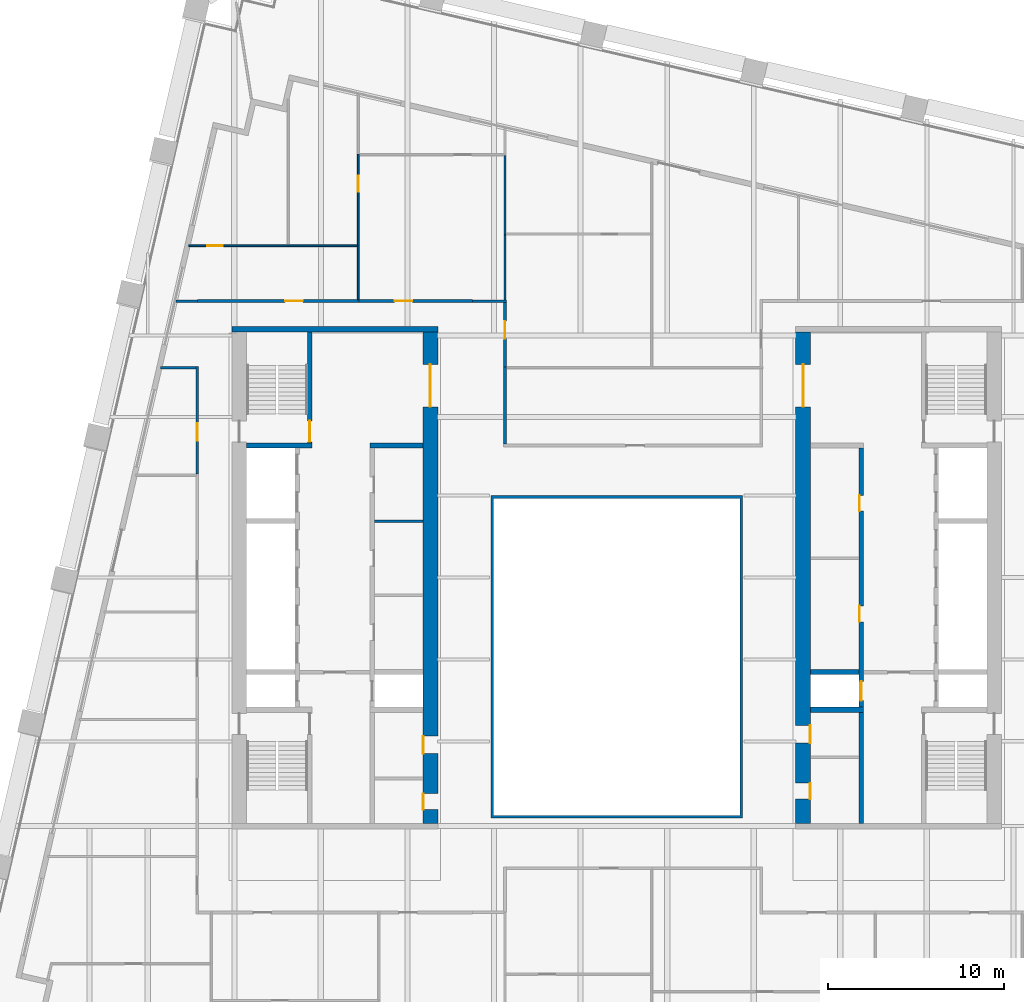
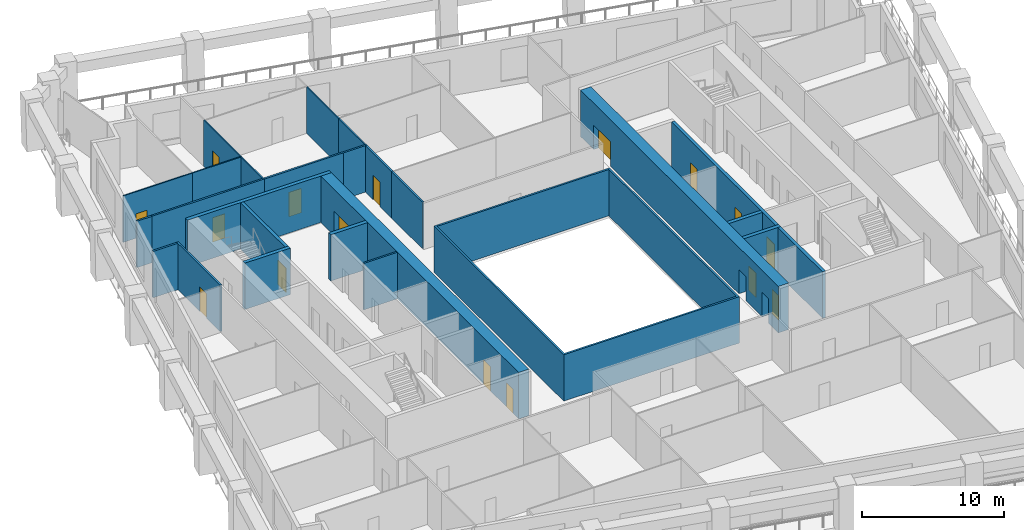
# One storey, part 7 of 12: 25 walls, 16 doors, 16 openings.
"""IFC4 building model written with IfcOpenShell, lengths in metres."""

from ifc_helpers import new_model, si_unit, direction, frame, frame_2d, origin, place, context, subcontext, project, spatial, polyline, rectangle, outline, extrude, material, layer, layer_set, type_object, element, fill, save


model = new_model("IFC4")

# Units and contexts
model_context = context("Model", 3, precision=1e-05, world=origin(), true_north=direction((0.0, 1.0)))
body_context = subcontext(model_context, "Body", "Model", "MODEL_VIEW")
ifc_project = project(units=[si_unit("LENGTHUNIT", "METRE"), si_unit("AREAUNIT", "SQUARE_METRE"), si_unit("VOLUMEUNIT", "CUBIC_METRE"), si_unit("PLANEANGLEUNIT", "RADIAN"), si_unit("MASSUNIT", "GRAM", prefix="KILO")], contexts=[model_context])

# Site, building, storey
site_placement = place(None, origin())
site = spatial("IfcSite", under=ifc_project, at=site_placement, CompositionType="ELEMENT")
building_placement = place(site_placement, origin())
building = spatial("IfcBuilding", under=site, at=building_placement, Name="Ogive Exchange Tower", CompositionType="ELEMENT")
storey_placement = place(building_placement, frame((0.0, 0.0, 139.199951171875)))
storey = spatial("IfcBuildingStorey", under=building, at=storey_placement, Name="L30", CompositionType="ELEMENT", Elevation=139.199951171875)

# Walls
ifc_material_1 = material(Name="Gypsum board partition")
ifc_layer_1 = layer(ifc_material_1, 0.14990234375)
ifc_layer_set_1 = layer_set([ifc_layer_1], Name="Core room partition 150 gypsum")
wall_type_1 = type_object("IfcWallType", Name="Core room partition 150 gypsum", PredefinedType="PARTITIONING", material=ifc_layer_set_1)
wall_1_placement = place(storey_placement, frame((-13.75, 14.699951171875, 0.0), z_axis=(0.0, 0.0, 1.0), x_axis=(1.0, 0.0, 0.0)))
element("IfcWall", 1, at=wall_1_placement, inside=storey, type_object=wall_type_1, Name="W row B bay partition 1-2", PredefinedType="PARTITIONING", context=body_context, shape_type="SweptSolid", body=[
    extrude(rectangle(XDim=2.75, YDim=0.14990234375, at=frame_2d((1.375, 0.0))), origin(), (0.0, 0.0, 1.0), 4.0),
])
ifc_layer_2 = layer(ifc_material_1, 0.300048828125)
ifc_layer_set_2 = layer_set([ifc_layer_2], Name="Core room partition 300 gypsum")
wall_type_2 = type_object("IfcWallType", Name="Core room partition 300 gypsum", PredefinedType="PARTITIONING", material=ifc_layer_set_2)
wall_2_placement = place(storey_placement, frame((-14.0, 19.0, 0.0), z_axis=(0.0, 0.0, 1.0), x_axis=(1.0, 0.0, 0.0)))
element("IfcWall", 2, at=wall_2_placement, inside=storey, type_object=wall_type_2, Name="W row B room end wall 7", PredefinedType="PARTITIONING", context=body_context, shape_type="SweptSolid", body=[
    extrude(rectangle(XDim=3.0, YDim=0.300048828125, at=frame_2d((1.5, 0.0))), origin(), (0.0, 0.0, 1.0), 4.0),
])
ifc_material_2 = material(Name="Fire partition EI 60 150")
ifc_layer_3 = layer(ifc_material_2, 0.14990234375)
ifc_layer_set_3 = layer_set([ifc_layer_3], Name="Fire partition EI 60 150")
wall_type_3 = type_object("IfcWallType", Name="Fire partition EI 60 150", PredefinedType="PARTITIONING", material=ifc_layer_set_3)
wall_3_placement = place(storey_placement, frame((-25.01708984375, 27.18994140625, 0.0), z_axis=(0.0, 0.0, 1.0), x_axis=(1.0, 0.0, 0.0)))
element("IfcWall", 3, at=wall_3_placement, inside=storey, type_object=wall_type_3, Name="L30-PWL-002", PredefinedType="PARTITIONING", context=body_context, shape_type="SweptSolid", body=[
    extrude(rectangle(XDim=1.217041015625, YDim=0.14990234375, at=frame_2d((0.6083984375, 0.0))), origin(), (0.0, 0.0, 1.0), 4.0),
])

# Wall, opening, door
wall_4_placement = place(storey_placement, frame((-23.800048828125, 17.3701171875, 0.0), z_axis=(0.0, 0.0, 1.0), x_axis=(0.0, 1.0, 0.0)))
wall_4 = element("IfcWall", 4, at=wall_4_placement, inside=storey, type_object=wall_type_3, Name="L30-PWL-011", PredefinedType="PARTITIONING", context=body_context, shape_type="SweptSolid", body=[
    extrude(rectangle(XDim=6.114990234375, YDim=0.14990234375, at=frame_2d((3.0576171875, 0.0))), origin(), (0.0, 0.0, 1.0), 4.0),
])
opening_1_placement = place(wall_4_placement, frame((1.889892578125, 0.0, 0.0)))
opening_1 = element("IfcOpeningElement", 5, at=opening_1_placement, cuts=wall_4, Name="Opening L30-I23", PredefinedType="OPENING", context=body_context, shape_type="SweptSolid", body=[
    extrude(rectangle(XDim=1.0, YDim=2.10009765625, at=frame_2d((0.5, 1.050048828125))), frame((0.0, 0.0849609375, 0.0), z_axis=(0.0, -1.0, 0.0), x_axis=(1.0, 0.0, 0.0)), (0.0, 0.0, 1.0), 0.169921875),
])
ifc_material_3 = material(Name="Fire door FD 30S 1000 x 2100")
door_type_1 = type_object("IfcDoorType", Name="Fire door FD 30S 1000 x 2100", OperationType="NOTDEFINED", PredefinedType="DOOR", material=ifc_material_3)
door_1_placement = place(opening_1_placement, origin())
door_1 = element("IfcDoor", 6, at=door_1_placement, inside=storey, type_object=door_type_1, Name="L30-IDR-023", ObjectType="DT3", OperationType="SINGLE_SWING_RIGHT", OverallHeight=2.10009765625, OverallWidth=1.0, PredefinedType="DOOR", context=body_context, shape_type="SweptSolid", body=[
    extrude(rectangle(XDim=1.0, YDim=2.10009765625, at=frame_2d((0.5, 1.050048828125))), frame((0.0, 0.02490234375, 0.0), z_axis=(0.0, -1.0, 0.0), x_axis=(1.0, 0.0, 0.0)), (0.0, 0.0, 1.0), 0.050048828125),
])
fill(opening_1, door_1)

# Wall
wall_5_placement = place(storey_placement, frame((-23.875, 23.409912109375, 0.0), z_axis=(0.0, 0.0, 1.0), x_axis=(-1.0, 0.0, 0.0)))
element("IfcWall", 7, at=wall_5_placement, inside=storey, type_object=wall_type_3, Name="L30-PWL-012", PredefinedType="PARTITIONING", context=body_context, shape_type="SweptSolid", body=[
    extrude(rectangle(XDim=2.014892578125, YDim=0.14990234375, at=frame_2d((1.00732421875, 0.0))), origin(), (0.0, 0.0, 1.0), 4.0),
])

# Wall, opening, door
wall_6_placement = place(storey_placement, frame((-23.800048828125, 27.199951171875, 0.0), z_axis=(0.0, 0.0, 1.0), x_axis=(1.0, 0.0, 0.0)))
wall_6 = element("IfcWall", 8, at=wall_6_placement, inside=storey, type_object=wall_type_3, Name="L30-PWL-013", PredefinedType="PARTITIONING", context=body_context, shape_type="SweptSolid", body=[
    extrude(rectangle(XDim=9.179931640625, YDim=0.14990234375, at=frame_2d((4.58984375, 0.0))), origin(), (0.0, 0.0, 1.0), 4.0),
])
opening_2_placement = place(wall_6_placement, frame((4.97998046875, 0.0, 0.0)))
opening_2 = element("IfcOpeningElement", 9, at=opening_2_placement, cuts=wall_6, Name="Opening L30-I22", PredefinedType="OPENING", context=body_context, shape_type="SweptSolid", body=[
    extrude(rectangle(XDim=1.0, YDim=2.10009765625, at=frame_2d((0.5, 1.050048828125))), frame((0.0, 0.0849609375, 0.0), z_axis=(0.0, -1.0, 0.0), x_axis=(1.0, 0.0, 0.0)), (0.0, 0.0, 1.0), 0.169921875),
])
door_2_placement = place(opening_2_placement, origin())
door_2 = element("IfcDoor", 10, at=door_2_placement, inside=storey, type_object=door_type_1, Name="L30-IDR-022", ObjectType="DT3", OperationType="SINGLE_SWING_LEFT", OverallHeight=2.10009765625, OverallWidth=1.0, PredefinedType="DOOR", context=body_context, shape_type="SweptSolid", body=[
    extrude(rectangle(XDim=1.0, YDim=2.10009765625, at=frame_2d((0.5, 1.050048828125))), frame((0.0, 0.02490234375, 0.0), z_axis=(0.0, -1.0, 0.0), x_axis=(1.0, 0.0, 0.0)), (0.0, 0.0, 1.0), 0.050048828125),
])
fill(opening_2, door_2)

wall_7_placement = place(storey_placement, frame((-14.6201171875, 27.199951171875, 0.0), z_axis=(0.0, 0.0, 1.0), x_axis=(1.0, 0.0, 0.0)))
wall_7 = element("IfcWall", 11, at=wall_7_placement, inside=storey, type_object=wall_type_3, Name="L30-PWL-026", PredefinedType="PARTITIONING", context=body_context, shape_type="SweptSolid", body=[
    extrude(rectangle(XDim=6.420166015625, YDim=0.14990234375, at=frame_2d((3.2099609375, 0.0))), origin(), (0.0, 0.0, 1.0), 4.0),
])
opening_3_placement = place(wall_7_placement, frame((2.02001953125, 0.0, 0.0)))
opening_3 = element("IfcOpeningElement", 12, at=opening_3_placement, cuts=wall_7, Name="Opening L30-I18", PredefinedType="OPENING", context=body_context, shape_type="SweptSolid", body=[
    extrude(rectangle(XDim=1.0, YDim=2.10009765625, at=frame_2d((0.5, 1.050048828125))), frame((0.0, 0.0849609375, 0.0), z_axis=(0.0, -1.0, 0.0), x_axis=(1.0, 0.0, 0.0)), (0.0, 0.0, 1.0), 0.169921875),
])
door_3_placement = place(opening_3_placement, origin())
door_3 = element("IfcDoor", 13, at=door_3_placement, inside=storey, type_object=door_type_1, Name="L30-IDR-018", ObjectType="DT3", OperationType="SINGLE_SWING_RIGHT", OverallHeight=2.10009765625, OverallWidth=1.0, PredefinedType="DOOR", context=body_context, shape_type="SweptSolid", body=[
    extrude(rectangle(XDim=1.0, YDim=2.10009765625, at=frame_2d((0.5, 1.050048828125))), frame((0.0, 0.02490234375, 0.0), z_axis=(0.0, -1.0, 0.0), x_axis=(1.0, 0.0, 0.0)), (0.0, 0.0, 1.0), 0.050048828125),
])
fill(opening_3, door_3)

# Walls
wall_8_placement = place(storey_placement, frame((-8.199951171875, 27.18994140625, 0.0), z_axis=(0.0, 0.0, 1.0), x_axis=(1.0, 0.0, 0.0)))
element("IfcWall", 14, at=wall_8_placement, inside=storey, type_object=wall_type_3, Name="L30-PWL-036", PredefinedType="PARTITIONING", context=body_context, shape_type="SweptSolid", body=[
    extrude(rectangle(XDim=1.93505859375, YDim=0.14990234375, at=frame_2d((0.967529296875, 0.0))), origin(), (0.0, 0.0, 1.0), 4.0),
])
wall_9_placement = place(storey_placement, frame((-6.340087890625, 23.4599609375, 0.0), z_axis=(0.0, 0.0, 1.0), x_axis=(0.0, -1.0, 0.0)))
element("IfcWall", 15, at=wall_9_placement, inside=storey, type_object=wall_type_3, Name="L30-PWL-044", PredefinedType="PARTITIONING", context=body_context, shape_type="SweptSolid", body=[
    extrude(rectangle(XDim=4.385009765625, YDim=0.14990234375, at=frame_2d((2.1923828125, 0.0))), origin(), (0.0, 0.0, 1.0), 4.0),
])

# Wall, opening, door
wall_10_placement = place(storey_placement, frame((-6.340087890625, 27.114990234375, 0.0), z_axis=(0.0, 0.0, 1.0), x_axis=(0.0, -1.0, 0.0)))
wall_10 = element("IfcWall", 16, at=wall_10_placement, inside=storey, type_object=wall_type_3, Name="L30-PWL-046", PredefinedType="PARTITIONING", context=body_context, shape_type="SweptSolid", body=[
    extrude(rectangle(XDim=3.655029296875, YDim=0.14990234375, at=frame_2d((1.82763671875, 0.0))), origin(), (0.0, 0.0, 1.0), 4.0),
])
opening_4_placement = place(wall_10_placement, frame((1.054931640625, 0.0, 0.0)))
opening_4 = element("IfcOpeningElement", 17, at=opening_4_placement, cuts=wall_10, Name="Opening L30-I14", PredefinedType="OPENING", context=body_context, shape_type="SweptSolid", body=[
    extrude(rectangle(XDim=1.0, YDim=2.10009765625, at=frame_2d((0.5, 1.050048828125))), frame((0.0, 0.0849609375, 0.0), z_axis=(0.0, -1.0, 0.0), x_axis=(1.0, 0.0, 0.0)), (0.0, 0.0, 1.0), 0.169921875),
])
door_4_placement = place(opening_4_placement, origin())
door_4 = element("IfcDoor", 18, at=door_4_placement, inside=storey, type_object=door_type_1, Name="L30-IDR-014", ObjectType="DT3", OperationType="SINGLE_SWING_LEFT", OverallHeight=2.10009765625, OverallWidth=1.0, PredefinedType="DOOR", context=body_context, shape_type="SweptSolid", body=[
    extrude(rectangle(XDim=1.0, YDim=2.10009765625, at=frame_2d((0.5, 1.050048828125))), frame((0.0, 0.02490234375, 0.0), z_axis=(0.0, -1.0, 0.0), x_axis=(1.0, 0.0, 0.0)), (0.0, 0.0, 1.0), 0.050048828125),
])
fill(opening_4, door_4)

# Wall
ifc_material_4 = material(Name="Fire-resisting glass in steel frame", Category="steel")
ifc_layer_4 = layer(ifc_material_4, 0.14990234375)
ifc_layer_set_4 = layer_set([ifc_layer_4], Name="Fire-rated glazed wall 150")
wall_type_4 = type_object("IfcWallType", Name="Fire-rated glazed wall 150", PredefinedType="STANDARD", material=ifc_layer_set_4)
wall_11_placement = place(storey_placement, origin())
element("IfcWall", 19, at=wall_11_placement, inside=storey, type_object=wall_type_4, Name="Nave enclosure wall", PredefinedType="STANDARD", context=body_context, shape_type="SweptSolid", body=[
    extrude(outline(polyline([(-7.14990234375, -2.14990234375), (7.14990234375, -2.14990234375), (7.14990234375, 16.14990234375), (-7.14990234375, 16.14990234375), (-7.14990234375, -2.14990234375)]), holes=[polyline([(-7.0, -2.0), (-7.0, 16.0), (7.0, 16.0), (7.0, -2.0), (-7.0, -2.0)])]), origin(), (0.0, 0.0, 1.0), 4.0),
])

# Wall, opening, door
ifc_material_5 = material(Name="Partition 100 gypsum")
ifc_layer_5 = layer(ifc_material_5, 0.10009765625)
ifc_layer_set_5 = layer_set([ifc_layer_5], Name="Partition 100 gypsum")
wall_type_5 = type_object("IfcWallType", Name="Partition 100 gypsum", PredefinedType="PARTITIONING", material=ifc_layer_set_5)
wall_12_placement = place(storey_placement, frame((-18.60009765625, 30.340087890625, 0.0), z_axis=(0.0, 0.0, 1.0), x_axis=(-1.0, 0.0, 0.0)))
wall_12 = element("IfcWall", 20, at=wall_12_placement, inside=storey, type_object=wall_type_5, Name="L30-PWL-023", PredefinedType="PARTITIONING", context=body_context, shape_type="SweptSolid", body=[
    extrude(rectangle(XDim=5.68994140625, YDim=0.10009765625, at=frame_2d((2.844970703125, 0.0))), origin(), (0.0, 0.0, 1.0), 4.0),
])
opening_5_placement = place(wall_12_placement, frame((3.75, 0.0, 0.0)))
opening_5 = element("IfcOpeningElement", 21, at=opening_5_placement, cuts=wall_12, Name="Opening L30-I21", PredefinedType="OPENING", context=body_context, shape_type="SweptSolid", body=[
    extrude(rectangle(XDim=0.89990234375, YDim=2.10009765625, at=frame_2d((0.449951171875, 1.050048828125))), frame((0.0, 0.06005859375, 0.0), z_axis=(0.0, -1.0, 0.0), x_axis=(1.0, 0.0, 0.0)), (0.0, 0.0, 1.0), 0.1201171875),
])
ifc_material_6 = material(Name="Door 900 x 2100")
door_type_2 = type_object("IfcDoorType", Name="Door 900 x 2100", OperationType="NOTDEFINED", PredefinedType="DOOR", material=ifc_material_6)
door_5_placement = place(opening_5_placement, origin())
door_5 = element("IfcDoor", 22, at=door_5_placement, inside=storey, type_object=door_type_2, Name="L30-IDR-021", ObjectType="DT1", OperationType="SINGLE_SWING_LEFT", OverallHeight=2.10009765625, OverallWidth=0.89990234375, PredefinedType="DOOR", context=body_context, shape_type="SweptSolid", body=[
    extrude(rectangle(XDim=0.89990234375, YDim=2.10009765625, at=frame_2d((0.449951171875, 1.050048828125))), frame((0.0, 0.02490234375, 0.0), z_axis=(0.0, -1.0, 0.0), x_axis=(1.0, 0.0, 0.0)), (0.0, 0.0, 1.0), 0.050048828125),
])
fill(opening_5, door_5)

# Walls
wall_13_placement = place(storey_placement, frame((-14.669921875, 27.27490234375, 0.0), z_axis=(0.0, 0.0, 1.0), x_axis=(0.0, 1.0, 0.0)))
element("IfcWall", 23, at=wall_13_placement, inside=storey, type_object=wall_type_5, Name="L30-PWL-025", PredefinedType="PARTITIONING", context=body_context, shape_type="SweptSolid", body=[
    extrude(rectangle(XDim=3.065185546875, YDim=0.10009765625, at=frame_2d((1.53271484375, 0.0))), origin(), (0.0, 0.0, 1.0), 4.0),
])
wall_14_placement = place(storey_placement, frame((-14.719970703125, 30.340087890625, 0.0), z_axis=(0.0, 0.0, 1.0), x_axis=(-1.0, 0.0, 0.0)))
element("IfcWall", 24, at=wall_14_placement, inside=storey, type_object=wall_type_5, Name="L30-PWL-027", PredefinedType="PARTITIONING", context=body_context, shape_type="SweptSolid", body=[
    extrude(rectangle(XDim=3.929931640625, YDim=0.10009765625, at=frame_2d((1.96484375, 0.0))), origin(), (0.0, 0.0, 1.0), 4.0),
])

# Wall, opening, door
wall_15_placement = place(storey_placement, frame((-14.669921875, 30.340087890625, 0.0), z_axis=(0.0, 0.0, 1.0), x_axis=(0.0, 1.0, 0.0)))
wall_15 = element("IfcWall", 25, at=wall_15_placement, inside=storey, type_object=wall_type_5, Name="L30-PWL-028", PredefinedType="PARTITIONING", context=body_context, shape_type="SweptSolid", body=[
    extrude(rectangle(XDim=5.2099609375, YDim=0.10009765625, at=frame_2d((2.60498046875, 0.0))), origin(), (0.0, 0.0, 1.0), 4.0),
])
opening_6_placement = place(wall_15_placement, frame((3.06005859375, 0.0, 0.0)))
opening_6 = element("IfcOpeningElement", 26, at=opening_6_placement, cuts=wall_15, Name="Opening L30-I20", PredefinedType="OPENING", context=body_context, shape_type="SweptSolid", body=[
    extrude(rectangle(XDim=0.89990234375, YDim=2.10009765625, at=frame_2d((0.449951171875, 1.050048828125))), frame((0.0, 0.06005859375, 0.0), z_axis=(0.0, -1.0, 0.0), x_axis=(1.0, 0.0, 0.0)), (0.0, 0.0, 1.0), 0.1201171875),
])
door_6_placement = place(opening_6_placement, origin())
door_6 = element("IfcDoor", 27, at=door_6_placement, inside=storey, type_object=door_type_2, Name="L30-IDR-020", ObjectType="DT1", OperationType="SINGLE_SWING_RIGHT", OverallHeight=2.10009765625, OverallWidth=0.89990234375, PredefinedType="DOOR", context=body_context, shape_type="SweptSolid", body=[
    extrude(rectangle(XDim=0.89990234375, YDim=2.10009765625, at=frame_2d((0.449951171875, 1.050048828125))), frame((0.0, 0.02490234375, 0.0), z_axis=(0.0, -1.0, 0.0), x_axis=(1.0, 0.0, 0.0)), (0.0, 0.0, 1.0), 0.050048828125),
])
fill(opening_6, door_6)

# Walls
wall_16_placement = place(storey_placement, frame((-6.340087890625, 27.264892578125, 0.0), z_axis=(0.0, 0.0, 1.0), x_axis=(0.0, 1.0, 0.0)))
element("IfcWall", 28, at=wall_16_placement, inside=storey, type_object=wall_type_5, Name="L30-PWL-047", PredefinedType="PARTITIONING", context=body_context, shape_type="SweptSolid", body=[
    extrude(rectangle(XDim=3.68505859375, YDim=0.10009765625, at=frame_2d((1.842529296875, 0.0))), origin(), (0.0, 0.0, 1.0), 4.0),
])
wall_17_placement = place(storey_placement, frame((-6.340087890625, 30.949951171875, 0.0), z_axis=(0.0, 0.0, 1.0), x_axis=(0.0, 1.0, 0.0)))
element("IfcWall", 29, at=wall_17_placement, inside=storey, type_object=wall_type_5, Name="L30-PWL-048", PredefinedType="PARTITIONING", context=body_context, shape_type="SweptSolid", body=[
    extrude(rectangle(XDim=4.5, YDim=0.10009765625, at=frame_2d((2.25, 0.0))), origin(), (0.0, 0.0, 1.0), 4.0),
])

# Wall, opening, door
ifc_material_7 = material(Name="Concrete C70/85", Category="concrete")
ifc_layer_6 = layer(ifc_material_7, 0.25)
ifc_layer_set_6 = layer_set([ifc_layer_6], Name="RC core wall 250 C70/85")
wall_type_6 = type_object("IfcWallType", Name="RC core wall 250 C70/85", PredefinedType="SHEAR", material=ifc_layer_set_6)
wall_18_placement = place(storey_placement, frame((-17.425048828125, 19.14990234375, 0.0), z_axis=(0.0, 0.0, 1.0), x_axis=(0.0, 1.0, 0.0)))
wall_18 = element("IfcWall", 30, at=wall_18_placement, inside=storey, type_object=wall_type_6, Name="W stair N front wall", PredefinedType="SHEAR", context=body_context, shape_type="SweptSolid", body=[
    extrude(rectangle(XDim=6.300048828125, YDim=0.25, at=frame_2d((3.14990234375, 0.0))), origin(), (0.0, 0.0, 1.0), 4.0),
])
opening_7_placement = place(wall_18_placement, frame((0.050048828125, 0.0, 0.0)))
opening_7 = element("IfcOpeningElement", 31, at=opening_7_placement, cuts=wall_18, Name="Opening L30-C16", PredefinedType="OPENING", context=body_context, shape_type="SweptSolid", body=[
    extrude(rectangle(XDim=1.199951171875, YDim=2.10009765625, at=frame_2d((0.60009765625, 1.050048828125))), frame((0.0, 0.135009765625, 0.0), z_axis=(0.0, -1.0, 0.0), x_axis=(1.0, 0.0, 0.0)), (0.0, 0.0, 1.0), 0.27001953125),
])
ifc_material_8 = material(Name="Steel fire door", Category="steel")
door_type_3 = type_object("IfcDoorType", Name="Stair door FD90 1200 x 2100", OperationType="NOTDEFINED", PredefinedType="DOOR", material=ifc_material_8)
door_7_placement = place(opening_7_placement, origin())
door_7 = element("IfcDoor", 32, at=door_7_placement, inside=storey, type_object=door_type_3, Name="Stair door", ObjectType="CD5", OperationType="SINGLE_SWING_RIGHT", OverallHeight=2.10009765625, OverallWidth=1.199951171875, PredefinedType="DOOR", context=body_context, shape_type="SweptSolid", body=[
    extrude(rectangle(XDim=1.199951171875, YDim=2.10009765625, at=frame_2d((0.60009765625, 1.050048828125))), frame((0.0, 0.02490234375, 0.0), z_axis=(0.0, -1.0, 0.0), x_axis=(1.0, 0.0, 0.0)), (0.0, 0.0, 1.0), 0.050048828125),
])
fill(opening_7, door_7)

# Wall, openings, doors
wall_19_placement = place(storey_placement, frame((13.875, -2.449951171875, 0.0), z_axis=(0.0, 0.0, 1.0), x_axis=(0.0, 1.0, 0.0)))
wall_19 = element("IfcWall", 33, at=wall_19_placement, inside=storey, type_object=wall_type_6, Name="E row B front wall", PredefinedType="SHEAR", context=body_context, shape_type="SweptSolid", body=[
    extrude(rectangle(XDim=21.300048828125, YDim=0.25, at=frame_2d((10.64990234375, 0.0))), origin(), (0.0, 0.0, 1.0), 4.0),
])
opening_8_placement = place(wall_19_placement, frame((11.4462890625, 0.0, 0.0)))
opening_8 = element("IfcOpeningElement", 34, at=opening_8_placement, cuts=wall_19, Name="Opening L30-C27", PredefinedType="OPENING", context=body_context, shape_type="SweptSolid", body=[
    extrude(rectangle(XDim=0.89990234375, YDim=2.10009765625, at=frame_2d((0.449951171875, 1.050048828125))), frame((0.0, 0.135009765625, 0.0), z_axis=(0.0, -1.0, 0.0), x_axis=(1.0, 0.0, 0.0)), (0.0, 0.0, 1.0), 0.27001953125),
])
opening_9_placement = place(wall_19_placement, frame((17.72509765625, 0.0, 0.0)))
opening_9 = element("IfcOpeningElement", 35, at=opening_9_placement, cuts=wall_19, Name="Opening L30-C28", PredefinedType="OPENING", context=body_context, shape_type="SweptSolid", body=[
    extrude(rectangle(XDim=0.89990234375, YDim=2.10009765625, at=frame_2d((0.449951171875, 1.050048828125))), frame((0.0, 0.135009765625, 0.0), z_axis=(0.0, -1.0, 0.0), x_axis=(1.0, 0.0, 0.0)), (0.0, 0.0, 1.0), 0.27001953125),
])
opening_10_placement = place(wall_19_placement, frame((6.971435546875, 0.0, 0.0)))
opening_10 = element("IfcOpeningElement", 36, at=opening_10_placement, cuts=wall_19, Name="Opening L30-C29", PredefinedType="OPENING", context=body_context, shape_type="SweptSolid", body=[
    extrude(rectangle(XDim=1.10009765625, YDim=2.10009765625, at=frame_2d((0.550048828125, 1.050048828125))), frame((0.0, 0.135009765625, 0.0), z_axis=(0.0, -1.0, 0.0), x_axis=(1.0, 0.0, 0.0)), (0.0, 0.0, 1.0), 0.27001953125),
])
ifc_material_9 = material(Name="Timber fire door", Category="wood")
door_type_4 = type_object("IfcDoorType", Name="Core room door FD30S 900 x 2100", OperationType="NOTDEFINED", PredefinedType="DOOR", material=ifc_material_9)
door_8_placement = place(opening_9_placement, origin())
door_8 = element("IfcDoor", 37, at=door_8_placement, inside=storey, type_object=door_type_4, Name="Core room door", ObjectType="CD6", OperationType="SINGLE_SWING_LEFT", OverallHeight=2.10009765625, OverallWidth=0.89990234375, PredefinedType="DOOR", context=body_context, shape_type="SweptSolid", body=[
    extrude(rectangle(XDim=0.89990234375, YDim=2.10009765625, at=frame_2d((0.449951171875, 1.050048828125))), frame((0.0, 0.125, 0.0), z_axis=(0.0, -1.0, 0.0), x_axis=(1.0, 0.0, 0.0)), (0.0, 0.0, 1.0), 0.050048828125),
])
fill(opening_9, door_8)
ifc_material_10 = material(Name="Stainless steel", Category="steel")
door_type_5 = type_object("IfcDoorType", Name="Lift landing door FD90 1100 x 2100", OperationType="SLIDING_TO_LEFT", PredefinedType="DOOR", material=ifc_material_10)
door_9_placement = place(opening_10_placement, origin())
door_9 = element("IfcDoor", 38, at=door_9_placement, inside=storey, type_object=door_type_5, Name="Lift landing door SV2", ObjectType="LD", OperationType="SLIDING_TO_LEFT", OverallHeight=2.10009765625, OverallWidth=1.10009765625, PredefinedType="DOOR", context=body_context, shape_type="SweptSolid", body=[
    extrude(rectangle(XDim=1.10009765625, YDim=2.10009765625, at=frame_2d((0.550048828125, 1.050048828125))), frame((0.0, 0.02490234375, 0.0), z_axis=(0.0, -1.0, 0.0), x_axis=(1.0, 0.0, 0.0)), (0.0, 0.0, 1.0), 0.050048828125),
])
fill(opening_10, door_9)
door_type_6 = type_object("IfcDoorType", Name="Riser door FD60 900 x 2100", OperationType="NOTDEFINED", PredefinedType="DOOR", material=ifc_material_8)
door_10_placement = place(opening_8_placement, origin())
door_10 = element("IfcDoor", 39, at=door_10_placement, inside=storey, type_object=door_type_6, Name="Riser door", ObjectType="CD2", OperationType="SINGLE_SWING_RIGHT", OverallHeight=2.10009765625, OverallWidth=0.89990234375, PredefinedType="DOOR", context=body_context, shape_type="SweptSolid", body=[
    extrude(rectangle(XDim=0.89990234375, YDim=2.10009765625, at=frame_2d((0.449951171875, 1.050048828125))), frame((0.0, 0.125, 0.0), z_axis=(0.0, -1.0, 0.0), x_axis=(1.0, 0.0, 0.0)), (0.0, 0.0, 1.0), 0.050048828125),
])
fill(opening_8, door_10)

# Walls
ifc_layer_7 = layer(ifc_material_7, 0.300048828125)
ifc_layer_set_7 = layer_set([ifc_layer_7], Name="RC core wall 300 C70/85")
wall_type_7 = type_object("IfcWallType", Name="RC core wall 300 C70/85", PredefinedType="SHEAR", material=ifc_layer_set_7)
wall_20_placement = place(storey_placement, frame((-21.85009765625, 25.60009765625, 0.0), z_axis=(0.0, 0.0, 1.0), x_axis=(1.0, 0.0, 0.0)))
element("IfcWall", 40, at=wall_20_placement, inside=storey, type_object=wall_type_7, Name="W north end wall", PredefinedType="SHEAR", context=body_context, shape_type="SweptSolid", body=[
    extrude(rectangle(XDim=11.7001953125, YDim=0.300048828125, at=frame_2d((5.85009765625, 0.0))), origin(), (0.0, 0.0, 1.0), 4.0),
])
wall_21_placement = place(storey_placement, frame((-21.0, 19.0, 0.0), z_axis=(0.0, 0.0, 1.0), x_axis=(1.0, 0.0, 0.0)))
element("IfcWall", 41, at=wall_21_placement, inside=storey, type_object=wall_type_7, Name="W stair N south wall", PredefinedType="SHEAR", context=body_context, shape_type="SweptSolid", body=[
    extrude(rectangle(XDim=3.699951171875, YDim=0.300048828125, at=frame_2d((1.85009765625, 0.0))), origin(), (0.0, 0.0, 1.0), 4.0),
])
wall_22_placement = place(storey_placement, frame((11.0, 4.0, 0.0), z_axis=(0.0, 0.0, 1.0), x_axis=(1.0, 0.0, 0.0)))
element("IfcWall", 42, at=wall_22_placement, inside=storey, type_object=wall_type_7, Name="E row B divider 0", PredefinedType="SHEAR", context=body_context, shape_type="SweptSolid", body=[
    extrude(rectangle(XDim=3.0, YDim=0.300048828125, at=frame_2d((1.5, 0.0))), origin(), (0.0, 0.0, 1.0), 4.0),
])
wall_23_placement = place(storey_placement, frame((11.0, 6.142822265625, 0.0), z_axis=(0.0, 0.0, 1.0), x_axis=(1.0, 0.0, 0.0)))
element("IfcWall", 43, at=wall_23_placement, inside=storey, type_object=wall_type_7, Name="E row B divider 1", PredefinedType="SHEAR", context=body_context, shape_type="SweptSolid", body=[
    extrude(rectangle(XDim=2.75, YDim=0.300048828125, at=frame_2d((1.375, 0.0))), origin(), (0.0, 0.0, 1.0), 4.0),
])

# Wall, openings, doors
ifc_layer_8 = layer(ifc_material_7, 0.85009765625)
ifc_layer_set_8 = layer_set([ifc_layer_8], Name="RC core wall 850 C70/85")
wall_type_8 = type_object("IfcWallType", Name="RC core wall 850 C70/85", PredefinedType="SHEAR", material=ifc_layer_set_8)
wall_24_placement = place(storey_placement, frame((-10.574951171875, -2.449951171875, 0.0), z_axis=(0.0, 0.0, 1.0), x_axis=(0.0, 1.0, 0.0)))
wall_24 = element("IfcWall", 44, at=wall_24_placement, inside=storey, type_object=wall_type_8, Name="W inner wall", PredefinedType="SHEAR", context=body_context, shape_type="SweptSolid", body=[
    extrude(rectangle(XDim=27.89990234375, YDim=0.85009765625, at=frame_2d((13.949951171875, 0.0))), origin(), (0.0, 0.0, 1.0), 4.0),
])
opening_11_placement = place(wall_24_placement, frame((23.64990234375, 0.0, 0.0)))
opening_11 = element("IfcOpeningElement", 45, at=opening_11_placement, cuts=wall_24, Name="Opening L30-C13", PredefinedType="OPENING", context=body_context, shape_type="SweptSolid", body=[
    extrude(rectangle(XDim=2.39990234375, YDim=2.10009765625, at=frame_2d((1.199951171875, 1.050048828125))), frame((0.0, 0.43505859375, 0.0), z_axis=(0.0, -1.0, 0.0), x_axis=(1.0, 0.0, 0.0)), (0.0, 0.0, 1.0), 0.8701171875),
])
opening_12_placement = place(wall_24_placement, frame((0.78759765625, 0.0, 0.0)))
opening_12 = element("IfcOpeningElement", 46, at=opening_12_placement, cuts=wall_24, Name="Opening L30-C18", PredefinedType="OPENING", context=body_context, shape_type="SweptSolid", body=[
    extrude(rectangle(XDim=0.89990234375, YDim=2.10009765625, at=frame_2d((0.449951171875, 1.050048828125))), frame((0.0, 0.43505859375, 0.0), z_axis=(0.0, -1.0, 0.0), x_axis=(1.0, 0.0, 0.0)), (0.0, 0.0, 1.0), 0.8701171875),
])
opening_13_placement = place(wall_24_placement, frame((3.96240234375, 0.0, 0.0)))
opening_13 = element("IfcOpeningElement", 47, at=opening_13_placement, cuts=wall_24, Name="Opening L30-C19", PredefinedType="OPENING", context=body_context, shape_type="SweptSolid", body=[
    extrude(rectangle(XDim=1.0, YDim=2.10009765625, at=frame_2d((0.5, 1.050048828125))), frame((0.0, 0.43505859375, 0.0), z_axis=(0.0, -1.0, 0.0), x_axis=(1.0, 0.0, 0.0)), (0.0, 0.0, 1.0), 0.8701171875),
])
door_type_7 = type_object("IfcDoorType", Name="Accessible WC door FD30S 1000 x 2100", OperationType="NOTDEFINED", PredefinedType="DOOR", material=ifc_material_9)
door_11_placement = place(opening_13_placement, origin())
door_11 = element("IfcDoor", 48, at=door_11_placement, inside=storey, type_object=door_type_7, Name="Accessible WC door", ObjectType="CD7", OperationType="SINGLE_SWING_RIGHT", OverallHeight=2.10009765625, OverallWidth=1.0, PredefinedType="DOOR", context=body_context, shape_type="SweptSolid", body=[
    extrude(rectangle(XDim=1.0, YDim=2.10009765625, at=frame_2d((0.5, 1.050048828125))), frame((0.0, 0.4248046875, 0.0), z_axis=(0.0, -1.0, 0.0), x_axis=(1.0, 0.0, 0.0)), (0.0, 0.0, 1.0), 0.050048828125),
])
fill(opening_13, door_11)
door_12_placement = place(opening_12_placement, origin())
door_12 = element("IfcDoor", 49, at=door_12_placement, inside=storey, type_object=door_type_4, Name="Core room door", ObjectType="CD6", OperationType="SINGLE_SWING_RIGHT", OverallHeight=2.10009765625, OverallWidth=0.89990234375, PredefinedType="DOOR", context=body_context, shape_type="SweptSolid", body=[
    extrude(rectangle(XDim=0.89990234375, YDim=2.10009765625, at=frame_2d((0.449951171875, 1.050048828125))), frame((0.0, 0.4248046875, 0.0), z_axis=(0.0, -1.0, 0.0), x_axis=(1.0, 0.0, 0.0)), (0.0, 0.0, 1.0), 0.050048828125),
])
fill(opening_12, door_12)
ifc_material_11 = material(Name="Glazed steel fire door", Category="steel")
door_type_8 = type_object("IfcDoorType", Name="Lift lobby double door FD60 2400 x 2100", OperationType="DOUBLE_DOOR_SINGLE_SWING", PredefinedType="DOOR", material=ifc_material_11)
door_13_placement = place(opening_11_placement, origin())
door_13 = element("IfcDoor", 50, at=door_13_placement, inside=storey, type_object=door_type_8, Name="Lift lobby double door", ObjectType="CD4", OperationType="DOUBLE_DOOR_SINGLE_SWING", OverallHeight=2.10009765625, OverallWidth=2.39990234375, PredefinedType="DOOR", context=body_context, shape_type="SweptSolid", body=[
    extrude(rectangle(XDim=2.39990234375, YDim=2.10009765625, at=frame_2d((1.199951171875, 1.050048828125))), frame((0.0, 0.02490234375, 0.0), z_axis=(0.0, -1.0, 0.0), x_axis=(1.0, 0.0, 0.0)), (0.0, 0.0, 1.0), 0.050048828125),
])
fill(opening_11, door_13)

wall_25_placement = place(storey_placement, frame((10.574951171875, -2.449951171875, 0.0), z_axis=(0.0, 0.0, 1.0), x_axis=(0.0, 1.0, 0.0)))
wall_25 = element("IfcWall", 51, at=wall_25_placement, inside=storey, type_object=wall_type_8, Name="E inner wall", PredefinedType="SHEAR", context=body_context, shape_type="SweptSolid", body=[
    extrude(rectangle(XDim=27.89990234375, YDim=0.85009765625, at=frame_2d((13.949951171875, 0.0))), origin(), (0.0, 0.0, 1.0), 4.0),
])
opening_14_placement = place(wall_25_placement, frame((23.64990234375, 0.0, 0.0)))
opening_14 = element("IfcOpeningElement", 52, at=opening_14_placement, cuts=wall_25, Name="Opening L30-C31", PredefinedType="OPENING", context=body_context, shape_type="SweptSolid", body=[
    extrude(rectangle(XDim=2.39990234375, YDim=2.10009765625, at=frame_2d((1.199951171875, 1.050048828125))), frame((0.0, 0.43505859375, 0.0), z_axis=(0.0, -1.0, 0.0), x_axis=(1.0, 0.0, 0.0)), (0.0, 0.0, 1.0), 0.8701171875),
])
opening_15_placement = place(wall_25_placement, frame((1.387451171875, 0.0, 0.0)))
opening_15 = element("IfcOpeningElement", 53, at=opening_15_placement, cuts=wall_25, Name="Opening L30-C36", PredefinedType="OPENING", context=body_context, shape_type="SweptSolid", body=[
    extrude(rectangle(XDim=0.89990234375, YDim=2.10009765625, at=frame_2d((0.449951171875, 1.050048828125))), frame((0.0, 0.43505859375, 0.0), z_axis=(0.0, -1.0, 0.0), x_axis=(1.0, 0.0, 0.0)), (0.0, 0.0, 1.0), 0.8701171875),
])
opening_16_placement = place(wall_25_placement, frame((4.5625, 0.0, 0.0)))
opening_16 = element("IfcOpeningElement", 54, at=opening_16_placement, cuts=wall_25, Name="Opening L30-C37", PredefinedType="OPENING", context=body_context, shape_type="SweptSolid", body=[
    extrude(rectangle(XDim=1.0, YDim=2.10009765625, at=frame_2d((0.5, 1.050048828125))), frame((0.0, 0.43505859375, 0.0), z_axis=(0.0, -1.0, 0.0), x_axis=(1.0, 0.0, 0.0)), (0.0, 0.0, 1.0), 0.8701171875),
])
door_14_placement = place(opening_16_placement, frame((1.0, -0.7998046875, 0.0), z_axis=(0.0, 0.0, 1.0), x_axis=(-1.0, 0.0, 0.0)))
door_14 = element("IfcDoor", 55, at=door_14_placement, inside=storey, type_object=door_type_7, Name="Accessible WC door", ObjectType="CD7", OperationType="SINGLE_SWING_RIGHT", OverallHeight=2.10009765625, OverallWidth=1.0, PredefinedType="DOOR", context=body_context, shape_type="SweptSolid", body=[
    extrude(rectangle(XDim=1.0, YDim=2.10009765625, at=frame_2d((0.5, 1.050048828125))), frame((0.0, -0.375, 0.0), z_axis=(0.0, -1.0, 0.0), x_axis=(1.0, 0.0, 0.0)), (0.0, 0.0, 1.0), 0.050048828125),
])
fill(opening_16, door_14)
door_15_placement = place(opening_15_placement, frame((0.89990234375, -0.7998046875, 0.0), z_axis=(0.0, 0.0, 1.0), x_axis=(-1.0, 0.0, 0.0)))
door_15 = element("IfcDoor", 56, at=door_15_placement, inside=storey, type_object=door_type_4, Name="Core room door", ObjectType="CD6", OperationType="SINGLE_SWING_RIGHT", OverallHeight=2.10009765625, OverallWidth=0.89990234375, PredefinedType="DOOR", context=body_context, shape_type="SweptSolid", body=[
    extrude(rectangle(XDim=0.89990234375, YDim=2.10009765625, at=frame_2d((0.449951171875, 1.050048828125))), frame((0.0, -0.375, 0.0), z_axis=(0.0, -1.0, 0.0), x_axis=(1.0, 0.0, 0.0)), (0.0, 0.0, 1.0), 0.050048828125),
])
fill(opening_15, door_15)
door_16_placement = place(opening_14_placement, frame((2.39990234375, 0.0, 0.0), z_axis=(0.0, 0.0, 1.0), x_axis=(-1.0, 0.0, 0.0)))
door_16 = element("IfcDoor", 57, at=door_16_placement, inside=storey, type_object=door_type_8, Name="Lift lobby double door", ObjectType="CD4", OperationType="DOUBLE_DOOR_SINGLE_SWING", OverallHeight=2.10009765625, OverallWidth=2.39990234375, PredefinedType="DOOR", context=body_context, shape_type="SweptSolid", body=[
    extrude(rectangle(XDim=2.39990234375, YDim=2.10009765625, at=frame_2d((1.199951171875, 1.050048828125))), frame((0.0, 0.02490234375, 0.0), z_axis=(0.0, -1.0, 0.0), x_axis=(1.0, 0.0, 0.0)), (0.0, 0.0, 1.0), 0.050048828125),
])
fill(opening_14, door_16)

save(model, "model.ifc")
